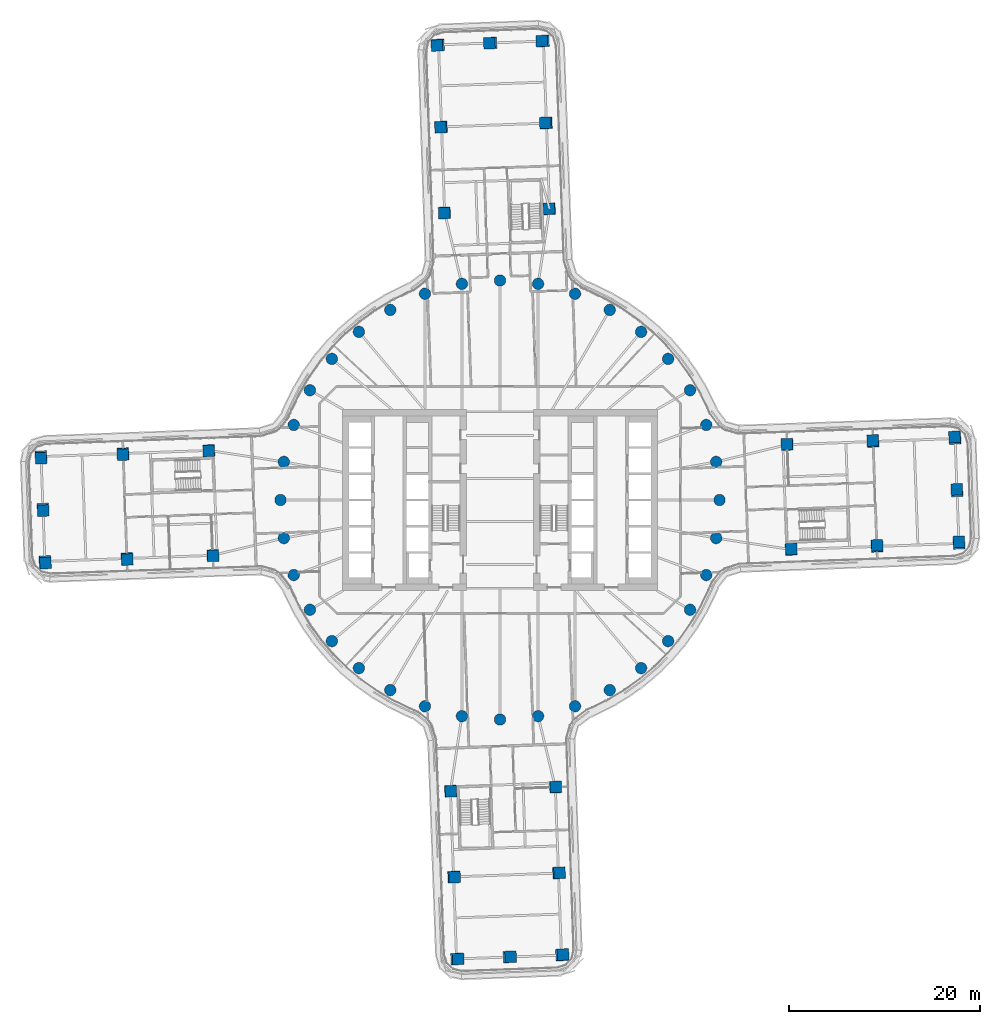
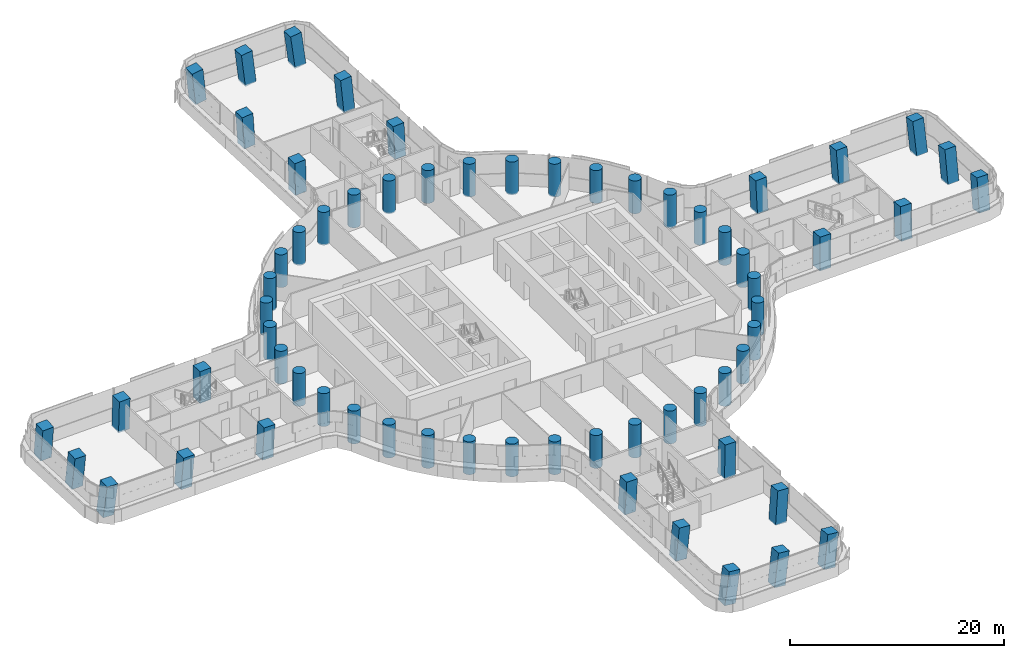
# One storey, part 1 of 31: 64 columns.
"""IFC4 building model written with IfcOpenShell, lengths in metres."""

from ifc_helpers import new_model, si_unit, direction, frame, origin, origin_2d, place, context, subcontext, project, spatial, rectangle, circle, extrude, material, material_profile, profile_set, type_object, element, save


model = new_model("IFC4")

# Units and contexts
model_context = context("Model", 3, precision=1e-05, world=origin(), true_north=direction((0.0, 1.0)))
body_context = subcontext(model_context, "Body", "Model", "MODEL_VIEW")
ifc_project = project(units=[si_unit("LENGTHUNIT", "METRE"), si_unit("AREAUNIT", "SQUARE_METRE"), si_unit("VOLUMEUNIT", "CUBIC_METRE"), si_unit("PLANEANGLEUNIT", "RADIAN"), si_unit("MASSUNIT", "GRAM", prefix="KILO")], contexts=[model_context])

# Site, building, storey
site_placement = place(None, origin())
site = spatial("IfcSite", under=ifc_project, at=site_placement, CompositionType="ELEMENT")
building_placement = place(site_placement, origin())
building = spatial("IfcBuilding", under=site, at=building_placement, Name="Tamarind Cross Interchange Tower", CompositionType="ELEMENT")
storey_placement = place(building_placement, frame((0.0, 0.0, 41.5)))
storey = spatial("IfcBuildingStorey", under=building, at=storey_placement, Name="L08", CompositionType="ELEMENT", Elevation=41.5)

# Columns
ifc_material = material(Name="Concrete C70", Category="concrete")
ifc_material_profile_1 = material_profile(ifc_material, rectangle(XDim=1.199951171875, YDim=1.199951171875, at=origin_2d()), Name="RC 1200x1200")
ifc_profile_set_1 = profile_set([ifc_material_profile_1], Name="Concrete C70")
column_type_1 = type_object("IfcColumnType", Name="Column RC 1200x1200 Concrete C70", PredefinedType="COLUMN", material=ifc_profile_set_1)
for number, where, z_axis, x_axis, name in (
    (1, (39.087890625, 6.127197265625, -0.138427734375), (-0.030441339594, 0.082496679368, 0.996126308626), (0.035286594219, -0.995878257789, 0.083554484807), "Column L08-036"),
    (2, (39.489013671875, -4.865478515625, -0.138427734375), (0.022782263088, 0.084962912769, 0.996123622821), (-0.999030611201, -0.035605744024, 0.025885688634), "Column L08-037"),
):
    element("IfcColumn", number, at=place(storey_placement, frame(where, z_axis=z_axis, x_axis=x_axis)), inside=storey, type_object=column_type_1, Name=name, PredefinedType="COLUMN", context=body_context, shape_type="SweptSolid", body=[
        extrude(rectangle(XDim=1.199951171875, YDim=1.199951171875, at=origin_2d()), origin(), (0.0, 0.0, 1.0), 3.761474609375),
    ])
for number, where, z_axis, x_axis, name in (
    (3, (30.093994140625, 5.799072265625, -0.138671875), (-0.028567720129, 0.039044719995, 0.998829011997), (0.036747902734, -0.998520350087, 0.040083688797), "Column L08-038"),
    (4, (30.4951171875, -5.193603515625, -0.138671875), (0.024858525838, 0.041452567955, 0.998831186089), (-0.999027809587, -0.03535711831, 0.026330777746), "Column L08-039"),
):
    element("IfcColumn", number, at=place(storey_placement, frame(where, z_axis=z_axis, x_axis=x_axis)), inside=storey, type_object=column_type_1, Name=name, PredefinedType="COLUMN", context=body_context, shape_type="SweptSolid", body=[
        extrude(rectangle(XDim=1.199951171875, YDim=1.199951171875, at=origin_2d()), origin(), (0.0, 0.0, 1.0), 3.751708984375),
    ])
column_1_placement = place(storey_placement, frame((48.08544921875, -4.5517578125, -0.138671875), z_axis=(0.008467088743, 0.125390474519, 0.992071336804), x_axis=(-0.999276590279, -0.035723335917, 0.013043749105)))
element("IfcColumn", 5, at=column_1_placement, inside=storey, type_object=column_type_1, Name="Column L08-040", PredefinedType="COLUMN", context=body_context, shape_type="SweptSolid", body=[
    extrude(rectangle(XDim=1.199951171875, YDim=1.199951171875, at=origin_2d()), origin(), (0.0, 0.0, 1.0), 3.77734375),
])
column_2_placement = place(storey_placement, frame((47.885009765625, 0.944580078125, -0.138427734375), z_axis=(-0.018035750686, 0.124181638234, 0.992095576254), x_axis=(0.035343190948, -0.991557660005, 0.124756826425)))
element("IfcColumn", 6, at=column_2_placement, inside=storey, type_object=column_type_1, Name="Column L08-041", PredefinedType="COLUMN", context=body_context, shape_type="SweptSolid", body=[
    extrude(rectangle(XDim=1.199951171875, YDim=1.199951171875, at=origin_2d()), origin(), (0.0, 0.0, 1.0), 3.776611328125),
])
column_3_placement = place(storey_placement, frame((47.684326171875, 6.44091796875, -0.138427734375), z_axis=(-0.044509755888, 0.122870182436, 0.991424127152), x_axis=(0.033684222222, -0.991658786777, 0.124411509843)))
element("IfcColumn", 7, at=column_3_placement, inside=storey, type_object=column_type_1, Name="Column L08-042", PredefinedType="COLUMN", context=body_context, shape_type="SweptSolid", body=[
    extrude(rectangle(XDim=1.199951171875, YDim=1.199951171875, at=origin_2d()), origin(), (0.0, 0.0, 1.0), 3.779296875),
])
for number, where, z_axis, x_axis, name in (
    (8, (-6.127197265625, 39.087890625, -0.138427734375), (-0.082496679368, -0.030441339594, 0.996126308626), (0.995878257789, 0.035286594219, 0.083554484807), "Column L08-043"),
    (9, (4.865478515625, 39.489013671875, -0.138427734375), (-0.084962912769, 0.022782263088, 0.996123622821), (0.035605744024, -0.999030611201, 0.025885688634), "Column L08-044"),
):
    element("IfcColumn", number, at=place(storey_placement, frame(where, z_axis=z_axis, x_axis=x_axis)), inside=storey, type_object=column_type_1, Name=name, PredefinedType="COLUMN", context=body_context, shape_type="SweptSolid", body=[
        extrude(rectangle(XDim=1.199951171875, YDim=1.199951171875, at=origin_2d()), origin(), (0.0, 0.0, 1.0), 3.761474609375),
    ])
for number, where, z_axis, x_axis, name in (
    (10, (-5.799072265625, 30.093994140625, -0.138671875), (-0.039044719995, -0.028567720129, 0.998829011997), (0.998520350087, 0.036747902734, 0.040083688797), "Column L08-045"),
    (11, (5.193603515625, 30.4951171875, -0.138671875), (-0.041452567955, 0.024858525838, 0.998831186089), (0.03535711831, -0.999027809587, 0.026330777746), "Column L08-046"),
):
    element("IfcColumn", number, at=place(storey_placement, frame(where, z_axis=z_axis, x_axis=x_axis)), inside=storey, type_object=column_type_1, Name=name, PredefinedType="COLUMN", context=body_context, shape_type="SweptSolid", body=[
        extrude(rectangle(XDim=1.199951171875, YDim=1.199951171875, at=origin_2d()), origin(), (0.0, 0.0, 1.0), 3.751708984375),
    ])
column_4_placement = place(storey_placement, frame((4.5517578125, 48.08544921875, -0.138671875), z_axis=(-0.125390474519, 0.008467088743, 0.992071336804), x_axis=(0.035723335917, -0.999276590279, 0.013043749105)))
element("IfcColumn", 12, at=column_4_placement, inside=storey, type_object=column_type_1, Name="Column L08-047", PredefinedType="COLUMN", context=body_context, shape_type="SweptSolid", body=[
    extrude(rectangle(XDim=1.199951171875, YDim=1.199951171875, at=origin_2d()), origin(), (0.0, 0.0, 1.0), 3.77734375),
])
column_5_placement = place(storey_placement, frame((-0.944580078125, 47.885009765625, -0.138427734375), z_axis=(-0.124181638234, -0.018035750686, 0.992095576254), x_axis=(0.991557660005, 0.035343190948, 0.124756826425)))
element("IfcColumn", 13, at=column_5_placement, inside=storey, type_object=column_type_1, Name="Column L08-048", PredefinedType="COLUMN", context=body_context, shape_type="SweptSolid", body=[
    extrude(rectangle(XDim=1.199951171875, YDim=1.199951171875, at=origin_2d()), origin(), (0.0, 0.0, 1.0), 3.776611328125),
])
column_6_placement = place(storey_placement, frame((-6.44091796875, 47.684326171875, -0.138427734375), z_axis=(-0.122870182436, -0.044509755888, 0.991424127152), x_axis=(0.991658786777, 0.033684222222, 0.124411509843)))
element("IfcColumn", 14, at=column_6_placement, inside=storey, type_object=column_type_1, Name="Column L08-049", PredefinedType="COLUMN", context=body_context, shape_type="SweptSolid", body=[
    extrude(rectangle(XDim=1.199951171875, YDim=1.199951171875, at=origin_2d()), origin(), (0.0, 0.0, 1.0), 3.779296875),
])
for number, where, z_axis, x_axis, name in (
    (15, (-39.087890625, -6.127197265625, -0.138427734375), (0.030441339594, -0.082496679368, 0.996126308626), (-0.035286594219, 0.995878257789, 0.083554484807), "Column L08-050"),
    (16, (-39.489013671875, 4.865478515625, -0.138427734375), (-0.022782263088, -0.084962912769, 0.996123622821), (0.999030611201, 0.035605744024, 0.025885688634), "Column L08-051"),
):
    element("IfcColumn", number, at=place(storey_placement, frame(where, z_axis=z_axis, x_axis=x_axis)), inside=storey, type_object=column_type_1, Name=name, PredefinedType="COLUMN", context=body_context, shape_type="SweptSolid", body=[
        extrude(rectangle(XDim=1.199951171875, YDim=1.199951171875, at=origin_2d()), origin(), (0.0, 0.0, 1.0), 3.761474609375),
    ])
for number, where, z_axis, x_axis, name in (
    (17, (-30.093994140625, -5.799072265625, -0.138671875), (0.028567720129, -0.039044719995, 0.998829011997), (-0.036747902734, 0.998520350087, 0.040083688797), "Column L08-052"),
    (18, (-30.4951171875, 5.193603515625, -0.138671875), (-0.024858525838, -0.041452567955, 0.998831186089), (0.999027809587, 0.03535711831, 0.026330777746), "Column L08-053"),
):
    element("IfcColumn", number, at=place(storey_placement, frame(where, z_axis=z_axis, x_axis=x_axis)), inside=storey, type_object=column_type_1, Name=name, PredefinedType="COLUMN", context=body_context, shape_type="SweptSolid", body=[
        extrude(rectangle(XDim=1.199951171875, YDim=1.199951171875, at=origin_2d()), origin(), (0.0, 0.0, 1.0), 3.751708984375),
    ])
column_7_placement = place(storey_placement, frame((-48.08544921875, 4.5517578125, -0.138671875), z_axis=(-0.008467088743, -0.125390474519, 0.992071336804), x_axis=(0.999276590279, 0.035723335917, 0.013043749105)))
element("IfcColumn", 19, at=column_7_placement, inside=storey, type_object=column_type_1, Name="Column L08-054", PredefinedType="COLUMN", context=body_context, shape_type="SweptSolid", body=[
    extrude(rectangle(XDim=1.199951171875, YDim=1.199951171875, at=origin_2d()), origin(), (0.0, 0.0, 1.0), 3.77734375),
])
column_8_placement = place(storey_placement, frame((-47.885009765625, -0.944580078125, -0.138427734375), z_axis=(0.018035750686, -0.124181638234, 0.992095576254), x_axis=(-0.035343190948, 0.991557660005, 0.124756826425)))
element("IfcColumn", 20, at=column_8_placement, inside=storey, type_object=column_type_1, Name="Column L08-055", PredefinedType="COLUMN", context=body_context, shape_type="SweptSolid", body=[
    extrude(rectangle(XDim=1.199951171875, YDim=1.199951171875, at=origin_2d()), origin(), (0.0, 0.0, 1.0), 3.776611328125),
])
column_9_placement = place(storey_placement, frame((-47.684326171875, -6.44091796875, -0.138427734375), z_axis=(0.044509755888, -0.122870182436, 0.991424127152), x_axis=(-0.033684222222, 0.991658786777, 0.124411509843)))
element("IfcColumn", 21, at=column_9_placement, inside=storey, type_object=column_type_1, Name="Column L08-056", PredefinedType="COLUMN", context=body_context, shape_type="SweptSolid", body=[
    extrude(rectangle(XDim=1.199951171875, YDim=1.199951171875, at=origin_2d()), origin(), (0.0, 0.0, 1.0), 3.779296875),
])
for number, where, z_axis, x_axis, name in (
    (22, (6.127197265625, -39.087890625, -0.138427734375), (0.082496679368, 0.030441339594, 0.996126308626), (-0.995878257789, -0.035286594219, 0.083554484807), "Column L08-057"),
    (23, (-4.865478515625, -39.489013671875, -0.138427734375), (0.084962912769, -0.022782263088, 0.996123622821), (-0.035605744024, 0.999030611201, 0.025885688634), "Column L08-058"),
):
    element("IfcColumn", number, at=place(storey_placement, frame(where, z_axis=z_axis, x_axis=x_axis)), inside=storey, type_object=column_type_1, Name=name, PredefinedType="COLUMN", context=body_context, shape_type="SweptSolid", body=[
        extrude(rectangle(XDim=1.199951171875, YDim=1.199951171875, at=origin_2d()), origin(), (0.0, 0.0, 1.0), 3.761474609375),
    ])
for number, where, z_axis, x_axis, name in (
    (24, (5.799072265625, -30.093994140625, -0.138671875), (0.039044719995, 0.028567720129, 0.998829011997), (-0.998520350087, -0.036747902734, 0.040083688797), "Column L08-059"),
    (25, (-5.193603515625, -30.4951171875, -0.138671875), (0.041452567955, -0.024858525838, 0.998831186089), (-0.03535711831, 0.999027809587, 0.026330777746), "Column L08-060"),
):
    element("IfcColumn", number, at=place(storey_placement, frame(where, z_axis=z_axis, x_axis=x_axis)), inside=storey, type_object=column_type_1, Name=name, PredefinedType="COLUMN", context=body_context, shape_type="SweptSolid", body=[
        extrude(rectangle(XDim=1.199951171875, YDim=1.199951171875, at=origin_2d()), origin(), (0.0, 0.0, 1.0), 3.751708984375),
    ])
column_10_placement = place(storey_placement, frame((-4.5517578125, -48.08544921875, -0.138671875), z_axis=(0.125390474519, -0.008467088743, 0.992071336804), x_axis=(-0.035723335917, 0.999276590279, 0.013043749105)))
element("IfcColumn", 26, at=column_10_placement, inside=storey, type_object=column_type_1, Name="Column L08-061", PredefinedType="COLUMN", context=body_context, shape_type="SweptSolid", body=[
    extrude(rectangle(XDim=1.199951171875, YDim=1.199951171875, at=origin_2d()), origin(), (0.0, 0.0, 1.0), 3.77734375),
])
column_11_placement = place(storey_placement, frame((0.944580078125, -47.885009765625, -0.138427734375), z_axis=(0.124181638234, 0.018035750686, 0.992095576254), x_axis=(-0.991557660005, -0.035343190948, 0.124756826425)))
element("IfcColumn", 27, at=column_11_placement, inside=storey, type_object=column_type_1, Name="Column L08-062", PredefinedType="COLUMN", context=body_context, shape_type="SweptSolid", body=[
    extrude(rectangle(XDim=1.199951171875, YDim=1.199951171875, at=origin_2d()), origin(), (0.0, 0.0, 1.0), 3.776611328125),
])
column_12_placement = place(storey_placement, frame((6.44091796875, -47.684326171875, -0.138427734375), z_axis=(0.122870182436, 0.044509755888, 0.991424127152), x_axis=(-0.991658786777, -0.033684222222, 0.124411509843)))
element("IfcColumn", 28, at=column_12_placement, inside=storey, type_object=column_type_1, Name="Column L08-063", PredefinedType="COLUMN", context=body_context, shape_type="SweptSolid", body=[
    extrude(rectangle(XDim=1.199951171875, YDim=1.199951171875, at=origin_2d()), origin(), (0.0, 0.0, 1.0), 3.779296875),
])
ifc_material_profile_2 = material_profile(ifc_material, circle(Radius=0.60009765625, at=origin_2d()), Name="RC D1200")
ifc_profile_set_2 = profile_set([ifc_material_profile_2], Name="Concrete C70")
column_type_2 = type_object("IfcColumnType", Name="Column RC D1200 Concrete C70", PredefinedType="COLUMN", material=ifc_profile_set_2)
for number, where, z_axis, x_axis, name in (
    (29, (23.0, 0.0, -0.139892578125), (0.0, 0.0, 1.0), (1.0, 0.0, 0.0), "Column L08-000"),
    (30, (22.650634765625, 3.993896484375, -0.139892578125), (0.0, 0.0, 1.0), (1.0, 0.0, 0.0), "Column L08-001"),
    (31, (21.613037109375, 7.866455078125, -0.139892578125), (0.0, 0.0, 1.0), (1.0, 0.0, 0.0), "Column L08-002"),
    (32, (19.918701171875, 11.5, -0.139892578125), (0.0, 0.0, 1.0), (1.0, 0.0, 0.0), "Column L08-003"),
    (33, (17.619140625, 14.7841796875, -0.139892578125), (0.0, 0.0, 1.0), (1.0, 0.0, 0.0), "Column L08-004"),
    (34, (14.7841796875, 17.619140625, -0.139892578125), (0.0, 0.0, 1.0), (1.0, 0.0, 0.0), "Column L08-005"),
    (35, (11.5, 19.918701171875, -0.139892578125), (0.0, 0.0, 1.0), (1.0, 0.0, 0.0), "Column L08-006"),
    (36, (7.866455078125, 21.613037109375, -0.139892578125), (0.0, 0.0, 1.0), (1.0, 0.0, 0.0), "Column L08-007"),
    (37, (3.993896484375, 22.650634765625, -0.139892578125), (0.0, 0.0, 1.0), (1.0, 0.0, 0.0), "Column L08-008"),
    (38, (0.0, 23.0, -0.139892578125), (0.0, 0.0, 1.0), (1.0, 0.0, 0.0), "Column L08-009"),
    (39, (-3.993896484375, 22.650634765625, -0.139892578125), (0.0, 0.0, 1.0), (1.0, 0.0, 0.0), "Column L08-010"),
    (40, (-7.866455078125, 21.613037109375, -0.139892578125), (0.0, 0.0, 1.0), (1.0, 0.0, 0.0), "Column L08-011"),
    (41, (-11.5, 19.918701171875, -0.139892578125), (0.0, 0.0, 1.0), (1.0, 0.0, 0.0), "Column L08-012"),
    (42, (-14.7841796875, 17.619140625, -0.139892578125), (0.0, 0.0, 1.0), (1.0, 0.0, 0.0), "Column L08-013"),
    (43, (-17.619140625, 14.7841796875, -0.139892578125), (0.0, 0.0, 1.0), (1.0, 0.0, 0.0), "Column L08-014"),
    (44, (-19.918701171875, 11.5, -0.139892578125), (0.0, 0.0, 1.0), (1.0, 0.0, 0.0), "Column L08-015"),
    (45, (-21.613037109375, 7.866455078125, -0.139892578125), (0.0, 0.0, 1.0), (1.0, 0.0, 0.0), "Column L08-016"),
    (46, (-22.650634765625, 3.993896484375, -0.139892578125), (0.0, 0.0, 1.0), (1.0, 0.0, 0.0), "Column L08-017"),
    (47, (-23.0, 0.0, -0.139892578125), (0.0, 0.0, 1.0), (1.0, 0.0, 0.0), "Column L08-018"),
    (48, (-22.650634765625, -3.993896484375, -0.139892578125), (0.0, 0.0, 1.0), (1.0, 0.0, 0.0), "Column L08-019"),
    (49, (-21.613037109375, -7.866455078125, -0.139892578125), (0.0, 0.0, 1.0), (1.0, 0.0, 0.0), "Column L08-020"),
    (50, (-19.918701171875, -11.5, -0.139892578125), (0.0, 0.0, 1.0), (1.0, 0.0, 0.0), "Column L08-021"),
    (51, (-17.619140625, -14.7841796875, -0.139892578125), (0.0, 0.0, 1.0), (1.0, 0.0, 0.0), "Column L08-022"),
    (52, (-14.7841796875, -17.619140625, -0.139892578125), (0.0, 0.0, 1.0), (1.0, 0.0, 0.0), "Column L08-023"),
    (53, (-11.5, -19.918701171875, -0.139892578125), (0.0, 0.0, 1.0), (1.0, 0.0, 0.0), "Column L08-024"),
    (54, (-7.866455078125, -21.613037109375, -0.139892578125), (0.0, 0.0, 1.0), (1.0, 0.0, 0.0), "Column L08-025"),
    (55, (-3.993896484375, -22.650634765625, -0.139892578125), (0.0, 0.0, 1.0), (1.0, 0.0, 0.0), "Column L08-026"),
    (56, (0.0, -23.0, -0.139892578125), (0.0, 0.0, 1.0), (1.0, 0.0, 0.0), "Column L08-027"),
    (57, (3.993896484375, -22.650634765625, -0.139892578125), (0.0, 0.0, 1.0), (1.0, 0.0, 0.0), "Column L08-028"),
    (58, (7.866455078125, -21.613037109375, -0.139892578125), (0.0, 0.0, 1.0), (1.0, 0.0, 0.0), "Column L08-029"),
    (59, (11.5, -19.918701171875, -0.139892578125), (0.0, 0.0, 1.0), (1.0, 0.0, 0.0), "Column L08-030"),
    (60, (14.7841796875, -17.619140625, -0.139892578125), (0.0, 0.0, 1.0), (1.0, 0.0, 0.0), "Column L08-031"),
    (61, (17.619140625, -14.7841796875, -0.139892578125), (0.0, 0.0, 1.0), (1.0, 0.0, 0.0), "Column L08-032"),
    (62, (19.918701171875, -11.5, -0.139892578125), (0.0, 0.0, 1.0), (1.0, 0.0, 0.0), "Column L08-033"),
    (63, (21.613037109375, -7.866455078125, -0.139892578125), (0.0, 0.0, 1.0), (1.0, 0.0, 0.0), "Column L08-034"),
    (64, (22.650634765625, -3.993896484375, -0.139892578125), (0.0, 0.0, 1.0), (1.0, 0.0, 0.0), "Column L08-035"),
):
    element("IfcColumn", number, at=place(storey_placement, frame(where, z_axis=z_axis, x_axis=x_axis)), inside=storey, type_object=column_type_2, Name=name, PredefinedType="COLUMN", context=body_context, shape_type="SweptSolid", body=[
        extrude(circle(Radius=0.60009765625, at=origin_2d()), origin(), (0.0, 0.0, 1.0), 3.75),
    ])

save(model, "model.ifc")
